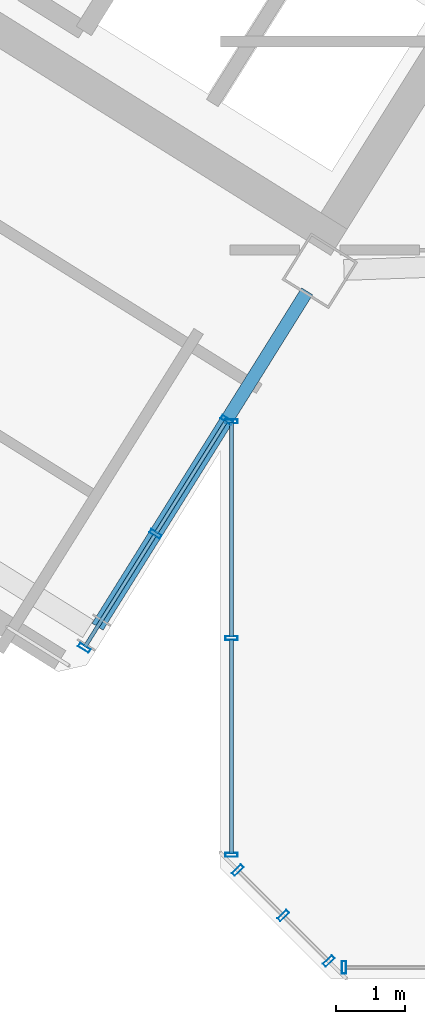
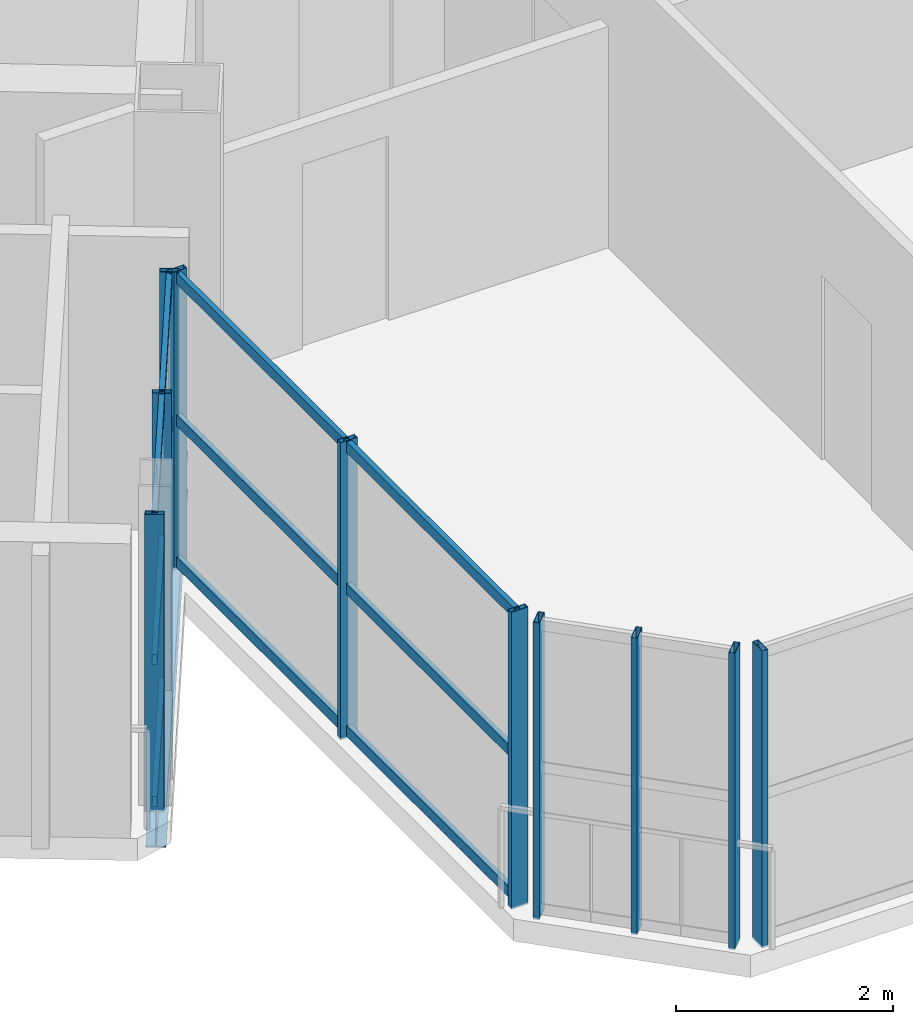
# One storey, part 6 of 27: 22 members, 1 beam, 4 elements without a shape of their own.
"""IFC4 building model written with IfcOpenShell, lengths in metres."""

import ifcopenshell
import ifcopenshell.guid

model = None  # the IFC model being written
_history = None  # IfcOwnerHistory: only IFC2X3 demands one
_inside = {}  # id of a spatial element -> (the spatial element, [elements in it])
_under = {}  # id of a project, library or spatial element -> (it, [spatial elements below it])
_declared = {}  # id of a project -> (the project, [libraries it declares])
_typed = {}  # id of a type object -> (the type object, [elements of that type])
_made_of = {}  # id of a material, layer set ... -> (it, [elements and type objects made of it])


def new_model(schema):
    """Start an empty IFC model of exactly this schema.

    Asked for "IFC4X3", IfcOpenShell would pick the latest addendum, in which some entities
    have other attributes; the version numbers below select the first issue.
    IFC2X3 requires an IfcOwnerHistory on every rooted entity: one is made here for all.
    """
    global model, _history
    if schema == "IFC4X3":
        model = ifcopenshell.file(schema_version=(4, 3, 0, 0))
    else:
        model = ifcopenshell.file(schema=schema)
    _inside.clear()
    _under.clear()
    _declared.clear()
    _typed.clear()
    _made_of.clear()
    _history = None
    if model.schema == "IFC2X3":
        org = make("IfcOrganization", Name="unknown")
        user = make(
            "IfcPersonAndOrganization",
            ThePerson=make("IfcPerson", FamilyName="unknown"),
            TheOrganization=org,
        )
        app = make(
            "IfcApplication",
            ApplicationDeveloper=org,
            Version="unknown",
            ApplicationFullName="unknown",
            ApplicationIdentifier="unknown",
        )
        _history = make(
            "IfcOwnerHistory",
            OwningUser=user,
            OwningApplication=app,
            ChangeAction="ADDED",
            CreationDate=0,
        )
    return model


def make(cls, **values):
    """One entity of the class cls with the attributes given. An attribute that is None is left unset."""
    return model.create_entity(
        cls, **{name: value for name, value in values.items() if value is not None}
    )


def rooted(cls, **values):
    """An entity with a GlobalId (a new one), such as an element, a storey or a relation."""
    return make(cls, GlobalId=ifcopenshell.guid.new(), OwnerHistory=_history, **values)


def si_unit(unit_type, name, prefix=None):
    """IfcSIUnit, for example si_unit("LENGTHUNIT", "METRE", prefix="MILLI")."""
    return make("IfcSIUnit", UnitType=unit_type, Prefix=prefix, Name=name)


def assignment(units):
    """IfcUnitAssignment: the units of a project."""
    return None if units is None else make("IfcUnitAssignment", Units=units)


def point(xyz):
    """IfcCartesianPoint."""
    return None if xyz is None else make("IfcCartesianPoint", Coordinates=xyz)


def direction(xyz):
    """IfcDirection."""
    return None if xyz is None else make("IfcDirection", DirectionRatios=xyz)


def frame(location, z_axis=None, x_axis=None):
    """IfcAxis2Placement3D, a coordinate frame: its origin and axes. An axis left out is left unset."""
    return make(
        "IfcAxis2Placement3D",
        Location=point(location),
        Axis=direction(z_axis),
        RefDirection=direction(x_axis),
    )


def frame_2d(location, x_axis=None):
    """IfcAxis2Placement2D, a coordinate frame in the plane: its origin and x axis."""
    return make(
        "IfcAxis2Placement2D", Location=point(location), RefDirection=direction(x_axis)
    )


def origin():
    """The frame at (0, 0, 0) with its axes left unset."""
    return frame((0.0, 0.0, 0.0))


def origin_2d():
    """The frame at (0, 0) in the plane with its x axis left unset."""
    return frame_2d((0.0, 0.0))


def place(relative_to, where):
    """IfcLocalPlacement: puts the frame where relative to a parent placement (None: the world)."""
    return make(
        "IfcLocalPlacement", PlacementRelTo=relative_to, RelativePlacement=where
    )


def context(
    kind, dimensions, precision=None, world=None, true_north=None, identifier=None
):
    """IfcGeometricRepresentationContext, for example the 3D "Model" context."""
    return make(
        "IfcGeometricRepresentationContext",
        ContextIdentifier=identifier,
        ContextType=kind,
        CoordinateSpaceDimension=dimensions,
        Precision=precision,
        WorldCoordinateSystem=world,
        TrueNorth=true_north,
    )


def subcontext(parent, identifier, kind, view, scale=None):
    """IfcGeometricRepresentationSubContext, for example "Body" below "Model"."""
    return make(
        "IfcGeometricRepresentationSubContext",
        ContextIdentifier=identifier,
        ContextType=kind,
        ParentContext=parent,
        TargetScale=scale,
        TargetView=view,
    )


def project(units=None, contexts=None):
    """IfcProject with its units and contexts."""
    return rooted(
        "IfcProject",
        Name="project",
        RepresentationContexts=contexts,
        UnitsInContext=assignment(units),
    )


def spatial(cls, under=None, at=None, **own):
    """A site, building, storey or space (cls), placed at a placement, below another one or the project."""
    s = rooted(cls, ObjectPlacement=at, **own)
    if under is not None:
        _under.setdefault(under.id(), (under, []))[1].append(s)
    return s


def profile(cls, at=None, kind="AREA", **sizes):
    """A parametric profile (cls). Its sizes go by their IFC names, for example OverallWidth=200.0."""
    return make(cls, ProfileType=kind, Position=at, **sizes)


def hollow_rectangle(**sizes):
    """IfcRectangleHollowProfileDef."""
    return profile("IfcRectangleHollowProfileDef", **sizes)


def i_section(**sizes):
    """IfcIShapeProfileDef."""
    return profile("IfcIShapeProfileDef", **sizes)


def extrude(swept, where, along, depth):
    """IfcExtrudedAreaSolid: the profile swept, set in the frame where, extruded along a direction by depth."""
    return make(
        "IfcExtrudedAreaSolid",
        SweptArea=swept,
        Position=where,
        ExtrudedDirection=direction(along),
        Depth=depth,
    )


def shape(context_of_items, identifier, shape_type, items):
    """IfcShapeRepresentation: the items that make up one representation, for example the "Body"."""
    return make(
        "IfcShapeRepresentation",
        ContextOfItems=context_of_items,
        RepresentationIdentifier=identifier,
        RepresentationType=shape_type,
        Items=items,
    )


def source(mapping_origin, context_of_items, identifier, shape_type, items):
    """IfcRepresentationMap: a shape defined once, which mapped items show again and again."""
    return make(
        "IfcRepresentationMap",
        MappingOrigin=mapping_origin,
        MappedRepresentation=shape(context_of_items, identifier, shape_type, items),
    )


def transform(
    local_origin,
    x_axis=None,
    y_axis=None,
    z_axis=None,
    scale=None,
    scale2=None,
    scale3=None,
    uniform=True,
):
    """IfcCartesianTransformationOperator3D, or its non-uniform kind. x_axis, y_axis, z_axis: its Axis1, 2, 3."""
    if uniform:
        return make(
            "IfcCartesianTransformationOperator3D",
            Axis1=direction(x_axis),
            Axis2=direction(y_axis),
            LocalOrigin=point(local_origin),
            Scale=scale,
            Axis3=direction(z_axis),
        )
    return make(
        "IfcCartesianTransformationOperator3DnonUniform",
        Axis1=direction(x_axis),
        Axis2=direction(y_axis),
        LocalOrigin=point(local_origin),
        Scale=scale,
        Axis3=direction(z_axis),
        Scale2=scale2,
        Scale3=scale3,
    )


def mapped(mapping_source, mapping_target):
    """IfcMappedItem: shows the shape of a source again, moved by a transform."""
    return make(
        "IfcMappedItem", MappingSource=mapping_source, MappingTarget=mapping_target
    )


def material(Name=None, Category=None):
    """IfcMaterial."""
    return make("IfcMaterial", Name=Name, Category=Category)


def material_profile(
    of_material, cross_section, Name=None, Category=None, Priority=None
):
    """IfcMaterialProfile: a cross section and its material."""
    return make(
        "IfcMaterialProfile",
        Name=Name,
        Material=of_material,
        Profile=cross_section,
        Priority=Priority,
        Category=Category,
    )


def profile_set(profiles, Name=None, composite=None):
    """IfcMaterialProfileSet."""
    return make(
        "IfcMaterialProfileSet",
        Name=Name,
        MaterialProfiles=profiles,
        CompositeProfile=composite,
    )


def made_of(thing, what):
    """Note that an element or type object is made of a material, layer set ...; save() writes the relation."""
    if what is not None:
        _made_of.setdefault(what.id(), (what, []))[1].append(thing)
    return thing


def type_object(cls, material=None, **own):
    """A type object (cls), such as IfcWallType, which elements share."""
    return made_of(rooted(cls, **own), material)


def element(
    cls,
    number,
    at=None,
    inside=None,
    cuts=None,
    type_object=None,
    material=None,
    context=None,
    identifier="Body",
    shape_type=None,
    held_by="IfcProductDefinitionShape",
    body=None,
    shapes=None,
    **own,
):
    """One element of the class cls, such as IfcWall. Its Tag is "e" and its number.

    at: its placement. inside: the storey or other place that contains it. cuts: it is an
    opening in that element (IfcRelVoidsElement). A single representation is given by context,
    identifier, shape_type and body (its items); several are given by shapes. held_by: the class
    of the entity that holds the representations. save() writes the other relations.
    """
    e = rooted(cls, Tag="e%d" % number, ObjectPlacement=at, **own)
    if body is not None:
        shapes = [shape(context, identifier, shape_type, body)]
    if shapes is not None:
        e.Representation = make(held_by, Representations=shapes)
    if inside is not None:
        _inside.setdefault(inside.id(), (inside, []))[1].append(e)
    if cuts is not None:
        rooted(
            "IfcRelVoidsElement", RelatingBuildingElement=cuts, RelatedOpeningElement=e
        )
    if type_object is not None:
        _typed.setdefault(type_object.id(), (type_object, []))[1].append(e)
    return made_of(e, material)


def aggregate(whole, parts):
    """IfcRelAggregates: a whole, such as a stair, and the parts it consists of."""
    return rooted("IfcRelAggregates", RelatingObject=whole, RelatedObjects=parts)


def save(model, path):
    """Write the relations noted so far, then the file.

    IfcRelAggregates (storeys below a building ...), IfcRelContainedInSpatialStructure (elements
    in a storey), IfcRelDefinesByType, IfcRelAssociatesMaterial and IfcRelDeclares: one each for
    every whole, place, type object, material and project.
    """
    for whole, parts in _under.values():
        aggregate(whole, parts)
    for where, things in _inside.values():
        rooted(
            "IfcRelContainedInSpatialStructure",
            RelatedElements=things,
            RelatingStructure=where,
        )
    for kind, things in _typed.values():
        rooted("IfcRelDefinesByType", RelatedObjects=things, RelatingType=kind)
    for what, things in _made_of.values():
        rooted("IfcRelAssociatesMaterial", RelatedObjects=things, RelatingMaterial=what)
    for by, libraries in _declared.values():
        rooted("IfcRelDeclares", RelatingContext=by, RelatedDefinitions=libraries)
    model.write(path)


model = new_model("IFC4")

# Units and contexts
model_context = context("Model", 3, precision=1e-05, world=origin(), true_north=direction((0.0, 1.0)))
body_context = subcontext(model_context, "Body", "Model", "MODEL_VIEW")
ifc_project = project(units=[si_unit("LENGTHUNIT", "METRE"), si_unit("AREAUNIT", "SQUARE_METRE"), si_unit("VOLUMEUNIT", "CUBIC_METRE"), si_unit("PLANEANGLEUNIT", "RADIAN"), si_unit("MASSUNIT", "GRAM", prefix="KILO")], contexts=[model_context])

# Site, building, storey
site_placement = place(None, origin())
site = spatial("IfcSite", under=ifc_project, at=site_placement, CompositionType="ELEMENT")
building_placement = place(site_placement, origin())
building = spatial("IfcBuilding", under=site, at=building_placement, Name="Tlacorven Tower", CompositionType="ELEMENT")
storey_placement = place(building_placement, frame((0.0, 0.0, 242.10009765625)))
storey = spatial("IfcBuildingStorey", under=building, at=storey_placement, Name="L61", CompositionType="ELEMENT", Elevation=242.10009765625)

# Beam
ifc_material_1 = material(Name="Steel S355J2", Category="steel")
ifc_material_profile_1 = material_profile(ifc_material_1, i_section(OverallWidth=0.18994140625, OverallDepth=0.449951171875, WebThickness=0.009521484375, FlangeThickness=0.0146484375, at=origin_2d()), Name="IPE 450")
ifc_profile_set_1 = profile_set([ifc_material_profile_1], Name="Steel S355J2")
beam_type = type_object("IfcBeamType", Name="BM-TWR-450", PredefinedType="BEAM", material=ifc_profile_set_1)
shared_shape_1 = source(origin(), body_context, "Body", "SweptSolid", [
    extrude(i_section(OverallWidth=0.18994140625, OverallDepth=0.449951171875, WebThickness=0.009521484375, FlangeThickness=0.0146484375, at=origin_2d()), origin(), (0.0, 0.0, 1.0), 5.749755859375),
])
beam_placement = place(storey_placement, frame((32.860595703125, 11.7900390625, -0.47509765625), z_axis=(-0.529903520428, -0.848057933775, 0.0), x_axis=(0.848057933775, -0.529903520428, 0.0)))
element("IfcBeam", 1, at=beam_placement, inside=storey, type_object=beam_type, Name="L61 beam BM-L61-WT1-2", PredefinedType="BEAM", context=body_context, shape_type="MappedRepresentation", body=[
    mapped(shared_shape_1, transform((0.0, 0.0, 0.0), scale=1.0)),
])

# Curtain wall, members
ifc_material_2 = material(Name="Dark solar low-E double glazing in aluminium frame", Category="aluminium")
curtain_wall_type = type_object("IfcCurtainWallType", Name="CW-TWR-HIGH", PredefinedType="USERDEFINED", material=ifc_material_2)
curtain_wall_1_placement = place(storey_placement, origin())
curtain_wall_1 = element("IfcCurtainWall", 2, at=curtain_wall_1_placement, inside=storey, type_object=curtain_wall_type, Name="L61 CW-TWR-HIGH Curtain Wall 281", ObjectType="UNITISED CURTAIN WALL", PredefinedType="USERDEFINED")
ifc_material_3 = material(Name="Aluminium 6063-T6 anodised", Category="aluminium")
ifc_material_profile_2 = material_profile(ifc_material_3, hollow_rectangle(XDim=0.054931640625, YDim=0.1201171875, WallThickness=0.00341796875, at=origin_2d()), Name="ALU TRANSOM 55X120")
ifc_profile_set_2 = profile_set([ifc_material_profile_2], Name="Aluminium 6063-T6 anodised")
member_type_1 = type_object("IfcMemberType", Name="CWT-03", PredefinedType="USERDEFINED", material=ifc_profile_set_2)
shared_shape_2 = source(origin(), body_context, "Body", "SweptSolid", [
    extrude(hollow_rectangle(XDim=0.054931640625, YDim=0.1201171875, WallThickness=0.00341796875, at=origin_2d()), origin(), (0.0, 0.0, 1.0), 3.115234375),
])
member_1_placement = place(storey_placement, frame((31.760009765625, 3.6142578125, 0.059814453125), z_axis=(0.0, 1.0, 0.0), x_axis=(-1.0, 0.0, 0.0)))
member_1 = element("IfcMember", 3, at=member_1_placement, type_object=member_type_1, Name="CW-L61-281 Transom 1", ObjectType="TRANSOM", PredefinedType="USERDEFINED", context=body_context, shape_type="MappedRepresentation", body=[
    mapped(shared_shape_2, transform((0.0, 0.0, 0.0), scale=1.0)),
])
member_2_placement = place(storey_placement, frame((31.760009765625, 3.6142578125, 1.659912109375), z_axis=(0.0, 1.0, 0.0), x_axis=(-1.0, 0.0, 0.0)))
member_2 = element("IfcMember", 4, at=member_2_placement, type_object=member_type_1, Name="CW-L61-281 Transom 2", ObjectType="TRANSOM", PredefinedType="USERDEFINED", context=body_context, shape_type="MappedRepresentation", body=[
    mapped(shared_shape_2, transform((0.0, 0.0, 0.0), scale=1.0)),
])
member_3_placement = place(storey_placement, frame((31.760009765625, 3.6142578125, 3.260009765625), z_axis=(0.0, 1.0, 0.0), x_axis=(-1.0, 0.0, 0.0)))
member_3 = element("IfcMember", 5, at=member_3_placement, type_object=member_type_1, Name="CW-L61-281 Transom 3", ObjectType="TRANSOM", PredefinedType="USERDEFINED", context=body_context, shape_type="MappedRepresentation", body=[
    mapped(shared_shape_2, transform((0.0, 0.0, 0.0), scale=1.0)),
])
member_4_placement = place(storey_placement, frame((31.760009765625, 6.765380859375, 0.059814453125), z_axis=(0.0, 1.0, 0.0), x_axis=(-1.0, 0.0, 0.0)))
member_4 = element("IfcMember", 6, at=member_4_placement, type_object=member_type_1, Name="CW-L61-281 Transom 4", ObjectType="TRANSOM", PredefinedType="USERDEFINED", context=body_context, shape_type="MappedRepresentation", body=[
    mapped(shared_shape_2, transform((0.0, 0.0, 0.0), scale=1.0)),
])
member_5_placement = place(storey_placement, frame((31.760009765625, 6.765380859375, 1.659912109375), z_axis=(0.0, 1.0, 0.0), x_axis=(-1.0, 0.0, 0.0)))
member_5 = element("IfcMember", 7, at=member_5_placement, type_object=member_type_1, Name="CW-L61-281 Transom 5", ObjectType="TRANSOM", PredefinedType="USERDEFINED", context=body_context, shape_type="MappedRepresentation", body=[
    mapped(shared_shape_2, transform((0.0, 0.0, 0.0), scale=1.0)),
])
member_6_placement = place(storey_placement, frame((31.760009765625, 6.765380859375, 3.260009765625), z_axis=(0.0, 1.0, 0.0), x_axis=(-1.0, 0.0, 0.0)))
member_6 = element("IfcMember", 8, at=member_6_placement, type_object=member_type_1, Name="CW-L61-281 Transom 6", ObjectType="TRANSOM", PredefinedType="USERDEFINED", context=body_context, shape_type="MappedRepresentation", body=[
    mapped(shared_shape_2, transform((0.0, 0.0, 0.0), scale=1.0)),
])

curtain_wall_2_placement = place(storey_placement, origin())
curtain_wall_2 = element("IfcCurtainWall", 9, at=curtain_wall_2_placement, inside=storey, type_object=curtain_wall_type, Name="L61 CW-TWR-HIGH Curtain Wall 282", ObjectType="UNITISED CURTAIN WALL", PredefinedType="USERDEFINED")
shared_shape_3 = source(origin(), body_context, "Body", "SweptSolid", [
    extrude(hollow_rectangle(XDim=0.054931640625, YDim=0.1201171875, WallThickness=0.00341796875, at=origin_2d()), origin(), (0.0, 0.0, 1.0), 1.91748046875),
])
member_7_placement = place(storey_placement, frame((31.681640625, 9.903076171875, 0.059814453125), z_axis=(-0.529953157166, -0.84802691656, 0.0), x_axis=(0.84802691656, -0.529953157166, 0.0)))
member_7 = element("IfcMember", 10, at=member_7_placement, type_object=member_type_1, Name="CW-L61-282 Transom 1", ObjectType="TRANSOM", PredefinedType="USERDEFINED", context=body_context, shape_type="MappedRepresentation", body=[
    mapped(shared_shape_3, transform((0.0, 0.0, 0.0), scale=1.0)),
])
member_8_placement = place(storey_placement, frame((31.681640625, 9.903076171875, 1.659912109375), z_axis=(-0.529953157166, -0.84802691656, 0.0), x_axis=(0.84802691656, -0.529953157166, 0.0)))
member_8 = element("IfcMember", 11, at=member_8_placement, type_object=member_type_1, Name="CW-L61-282 Transom 2", ObjectType="TRANSOM", PredefinedType="USERDEFINED", context=body_context, shape_type="MappedRepresentation", body=[
    mapped(shared_shape_3, transform((0.0, 0.0, 0.0), scale=1.0)),
])
member_9_placement = place(storey_placement, frame((31.681640625, 9.903076171875, 3.260009765625), z_axis=(-0.529953157166, -0.84802691656, 0.0), x_axis=(0.84802691656, -0.529953157166, 0.0)))
member_9 = element("IfcMember", 12, at=member_9_placement, type_object=member_type_1, Name="CW-L61-282 Transom 3", ObjectType="TRANSOM", PredefinedType="USERDEFINED", context=body_context, shape_type="MappedRepresentation", body=[
    mapped(shared_shape_3, transform((0.0, 0.0, 0.0), scale=1.0)),
])
member_10_placement = place(storey_placement, frame((30.646484375, 8.24658203125, 0.059814453125), z_axis=(-0.529953157166, -0.84802691656, 0.0), x_axis=(0.84802691656, -0.529953157166, 0.0)))
member_10 = element("IfcMember", 13, at=member_10_placement, type_object=member_type_1, Name="CW-L61-282 Transom 4", ObjectType="TRANSOM", PredefinedType="USERDEFINED", context=body_context, shape_type="MappedRepresentation", body=[
    mapped(shared_shape_3, transform((0.0, 0.0, 0.0), scale=1.0)),
])
member_11_placement = place(storey_placement, frame((30.646484375, 8.24658203125, 1.659912109375), z_axis=(-0.529953157166, -0.84802691656, 0.0), x_axis=(0.84802691656, -0.529953157166, 0.0)))
member_11 = element("IfcMember", 14, at=member_11_placement, type_object=member_type_1, Name="CW-L61-282 Transom 5", ObjectType="TRANSOM", PredefinedType="USERDEFINED", context=body_context, shape_type="MappedRepresentation", body=[
    mapped(shared_shape_3, transform((0.0, 0.0, 0.0), scale=1.0)),
])
member_12_placement = place(storey_placement, frame((30.646484375, 8.24658203125, 3.260009765625), z_axis=(-0.529953157166, -0.84802691656, 0.0), x_axis=(0.84802691656, -0.529953157166, 0.0)))
member_12 = element("IfcMember", 15, at=member_12_placement, type_object=member_type_1, Name="CW-L61-282 Transom 6", ObjectType="TRANSOM", PredefinedType="USERDEFINED", context=body_context, shape_type="MappedRepresentation", body=[
    mapped(shared_shape_3, transform((0.0, 0.0, 0.0), scale=1.0)),
])

# Curtain wall, member
curtain_wall_3_placement = place(storey_placement, origin())
curtain_wall_3 = element("IfcCurtainWall", 16, at=curtain_wall_3_placement, inside=storey, type_object=curtain_wall_type, Name="L61 CW-TWR-HIGH Curtain Wall 279", ObjectType="UNITISED CURTAIN WALL", PredefinedType="USERDEFINED")
ifc_material_profile_3 = material_profile(ifc_material_3, hollow_rectangle(XDim=0.06005859375, YDim=0.179931640625, WallThickness=0.00390625, at=origin_2d()), Name="ALU MULLION 60X180")
ifc_profile_set_3 = profile_set([ifc_material_profile_3], Name="Aluminium 6063-T6 anodised")
member_type_2 = type_object("IfcMemberType", Name="CWM-03", PredefinedType="MULLION", material=ifc_profile_set_3)
shared_shape_4 = source(origin(), body_context, "Body", "SweptSolid", [
    extrude(hollow_rectangle(XDim=0.06005859375, YDim=0.179931640625, WallThickness=0.00390625, at=origin_2d()), origin(), (0.0, 0.0, 1.0), 3.349853515625),
])
member_13_placement = place(storey_placement, frame((33.396240234375, 1.9599609375, -0.02001953125), z_axis=(0.0, 0.0, 1.0), x_axis=(-1.0, 0.0, 0.0)))
member_13 = element("IfcMember", 17, at=member_13_placement, type_object=member_type_2, Name="CW-L61-279 Mullion 4", PredefinedType="MULLION", context=body_context, shape_type="MappedRepresentation", body=[
    mapped(shared_shape_4, transform((0.0, 0.0, 0.0), scale=1.0)),
])
aggregate(curtain_wall_3, [member_13])

# Curtain wall, members
curtain_wall_4_placement = place(storey_placement, origin())
curtain_wall_4 = element("IfcCurtainWall", 18, at=curtain_wall_4_placement, inside=storey, type_object=curtain_wall_type, Name="L61 CW-TWR-HIGH Curtain Wall 280", ObjectType="UNITISED CURTAIN WALL", PredefinedType="USERDEFINED")
member_14_placement = place(storey_placement, frame((33.17431640625, 2.052001953125, -0.02001953125), z_axis=(0.0, 0.0, 1.0), x_axis=(-0.707106781187, 0.707106781187, 0.0)))
member_14 = element("IfcMember", 19, at=member_14_placement, type_object=member_type_2, Name="CW-L61-280 Mullion 1", PredefinedType="MULLION", context=body_context, shape_type="MappedRepresentation", body=[
    mapped(shared_shape_4, transform((0.0, 0.0, 0.0), scale=1.0)),
])
member_15_placement = place(storey_placement, frame((32.51318359375, 2.713134765625, -0.02001953125), z_axis=(0.0, 0.0, 1.0), x_axis=(-0.707106781187, 0.707106781187, 0.0)))
member_15 = element("IfcMember", 20, at=member_15_placement, type_object=member_type_2, Name="CW-L61-280 Mullion 2", PredefinedType="MULLION", context=body_context, shape_type="MappedRepresentation", body=[
    mapped(shared_shape_4, transform((0.0, 0.0, 0.0), scale=1.0)),
])
member_16_placement = place(storey_placement, frame((31.851806640625, 3.374267578125, -0.02001953125), z_axis=(0.0, 0.0, 1.0), x_axis=(-0.707106781187, 0.707106781187, 0.0)))
member_16 = element("IfcMember", 21, at=member_16_placement, type_object=member_type_2, Name="CW-L61-280 Mullion 3", PredefinedType="MULLION", context=body_context, shape_type="MappedRepresentation", body=[
    mapped(shared_shape_4, transform((0.0, 0.0, 0.0), scale=1.0)),
])
aggregate(curtain_wall_4, [member_14, member_15, member_16])

# Member
member_17_placement = place(storey_placement, frame((31.760009765625, 3.59619140625, -0.02001953125), z_axis=(0.0, 0.0, 1.0), x_axis=(0.0, 1.0, 0.0)))
member_17 = element("IfcMember", 22, at=member_17_placement, type_object=member_type_2, Name="CW-L61-281 Mullion 1", PredefinedType="MULLION", context=body_context, shape_type="MappedRepresentation", body=[
    mapped(shared_shape_4, transform((0.0, 0.0, 0.0), scale=1.0)),
])

member_18_placement = place(storey_placement, frame((31.760009765625, 6.74755859375, -0.02001953125), z_axis=(0.0, 0.0, 1.0), x_axis=(0.0, 1.0, 0.0)))
member_18 = element("IfcMember", 23, at=member_18_placement, type_object=member_type_2, Name="CW-L61-281 Mullion 2", PredefinedType="MULLION", context=body_context, shape_type="MappedRepresentation", body=[
    mapped(shared_shape_4, transform((0.0, 0.0, 0.0), scale=1.0)),
])

member_19_placement = place(storey_placement, frame((31.760009765625, 9.898681640625, -0.02001953125), z_axis=(0.0, 0.0, 1.0), x_axis=(0.0, 1.0, 0.0)))
member_19 = element("IfcMember", 24, at=member_19_placement, type_object=member_type_2, Name="CW-L61-281 Mullion 3", PredefinedType="MULLION", context=body_context, shape_type="MappedRepresentation", body=[
    mapped(shared_shape_4, transform((0.0, 0.0, 0.0), scale=1.0)),
])

aggregate(curtain_wall_1, [member_17, member_18, member_19, member_1, member_2, member_3, member_4, member_5, member_6])

member_20_placement = place(storey_placement, frame((31.691162109375, 9.91845703125, -0.02001953125), z_axis=(0.0, 0.0, 1.0), x_axis=(-0.529918710919, -0.848048441905, 0.0)))
member_20 = element("IfcMember", 25, at=member_20_placement, type_object=member_type_2, Name="CW-L61-282 Mullion 1", PredefinedType="MULLION", context=body_context, shape_type="MappedRepresentation", body=[
    mapped(shared_shape_4, transform((0.0, 0.0, 0.0), scale=1.0)),
])

member_21_placement = place(storey_placement, frame((30.656005859375, 8.261962890625, -0.02001953125), z_axis=(0.0, 0.0, 1.0), x_axis=(-0.529918710919, -0.848048441905, 0.0)))
member_21 = element("IfcMember", 26, at=member_21_placement, type_object=member_type_2, Name="CW-L61-282 Mullion 2", PredefinedType="MULLION", context=body_context, shape_type="MappedRepresentation", body=[
    mapped(shared_shape_4, transform((0.0, 0.0, 0.0), scale=1.0)),
])

member_22_placement = place(storey_placement, frame((29.620849609375, 6.605224609375, -0.02001953125), z_axis=(0.0, 0.0, 1.0), x_axis=(-0.529918710919, -0.848048441905, 0.0)))
member_22 = element("IfcMember", 27, at=member_22_placement, type_object=member_type_2, Name="CW-L61-282 Mullion 3", PredefinedType="MULLION", context=body_context, shape_type="MappedRepresentation", body=[
    mapped(shared_shape_4, transform((0.0, 0.0, 0.0), scale=1.0)),
])

aggregate(curtain_wall_2, [member_20, member_21, member_22, member_7, member_8, member_9, member_10, member_11, member_12])

save(model, "model.ifc")
